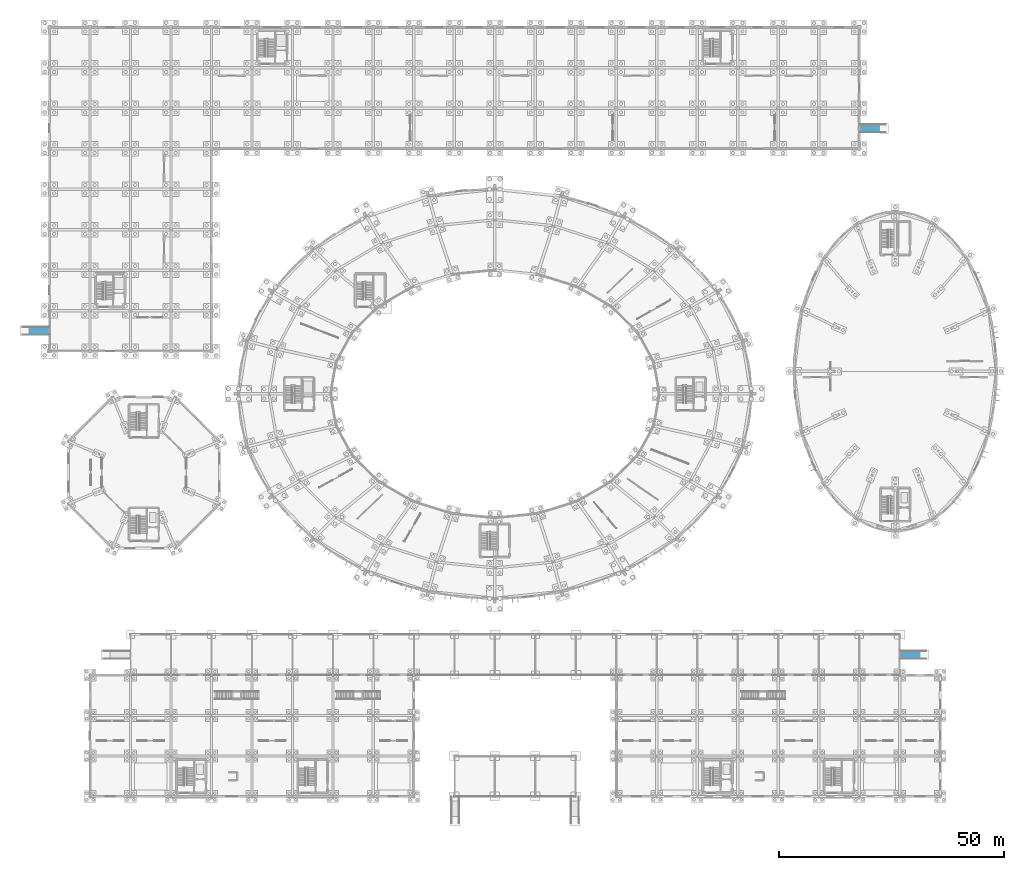
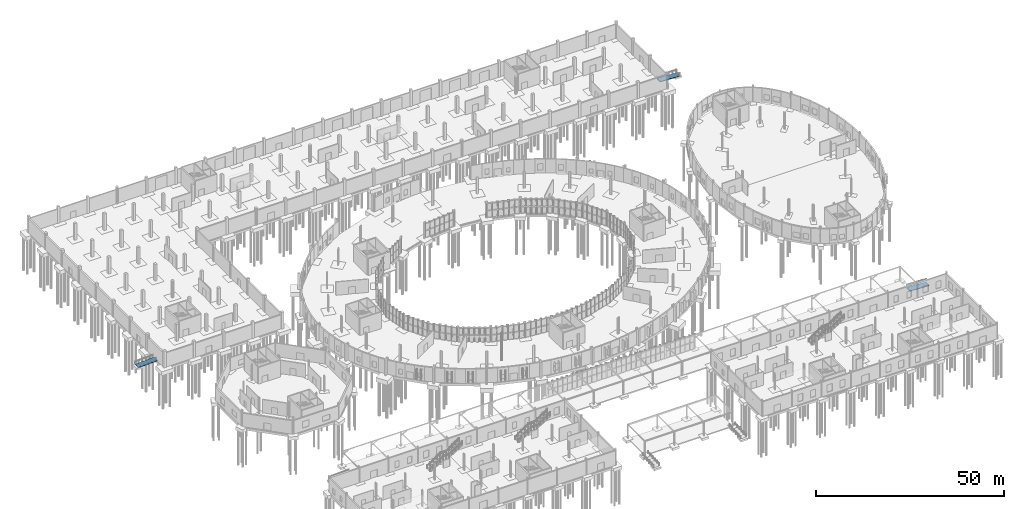
# One storey, part 104 of 118: 3 ramp flights, 3 elements without a shape of their own.
"""IFC4 building model written with IfcOpenShell, lengths in metres."""

from ifc_helpers import new_model, si_unit, direction, frame, origin, place, context, subcontext, project, spatial, polyline, outline, extrude, material, layer, layer_set, type_object, element, aggregate, save


model = new_model("IFC4")

# Units and contexts
model_context = context("Model", 3, precision=1e-05, world=origin(), true_north=direction((0.0, 1.0)))
body_context = subcontext(model_context, "Body", "Model", "MODEL_VIEW")
ifc_project = project(units=[si_unit("LENGTHUNIT", "METRE"), si_unit("AREAUNIT", "SQUARE_METRE"), si_unit("VOLUMEUNIT", "CUBIC_METRE"), si_unit("PLANEANGLEUNIT", "RADIAN"), si_unit("MASSUNIT", "GRAM", prefix="KILO")], contexts=[model_context])

# Site, building, storey
site_placement = place(None, origin())
site = spatial("IfcSite", under=ifc_project, at=site_placement, CompositionType="ELEMENT")
building_placement = place(site_placement, origin())
building = spatial("IfcBuilding", under=site, at=building_placement, Name="Kildeholm Park Wholesale Market", CompositionType="ELEMENT")
storey_placement = place(building_placement, origin())
storey = spatial("IfcBuildingStorey", under=building, at=storey_placement, Name="L00", CompositionType="ELEMENT", Elevation=0.0)

# Ramp, ramp flight
ifc_material = material(Name="Concrete C35/45", Category="concrete")
ramp_type = type_object("IfcRampType", Name="Step-free accessible ramp RM-01 1:20", PredefinedType="STRAIGHT_RUN_RAMP", material=ifc_material)
ramp_1_placement = place(storey_placement, origin())
ramp_1 = element("IfcRamp", 1, at=ramp_1_placement, inside=storey, type_object=ramp_type, Name="Accessible 1:20 ramp RM-V6-E RMP-0004", PredefinedType="STRAIGHT_RUN_RAMP")
ifc_layer = layer(ifc_material, 0.199951171875)
ifc_layer_set = layer_set([ifc_layer], Name="Concrete C35/45")
ramp_flight_type = type_object("IfcRampFlightType", Name="Step-free ramp flight RMF-01 1800 mm", PredefinedType="STRAIGHT", material=ifc_layer_set)
ramp_flight_1_placement = place(storey_placement, frame((194.919921875, 31.5, -0.300048828125), z_axis=(0.0, 0.0, 1.0), x_axis=(-1.0, 0.0, 0.0)))
ramp_flight_1 = element("IfcRampFlight", 2, at=ramp_flight_1_placement, type_object=ramp_flight_type, Name="Accessible ramp flight RM-V6-E RMF-0004", PredefinedType="STRAIGHT", context=body_context, shape_type="SweptSolid", body=[
    extrude(outline(polyline([(0.0, 0.0), (0.0, -0.199951171875), (6.0, 0.10009765625), (6.0, 0.300048828125), (0.0, 0.0)])), frame((0.0, 0.89990234375, 0.0), z_axis=(0.0, -1.0, 0.0), x_axis=(1.0, 0.0, 0.0)), (0.0, 0.0, 1.0), 1.800048828125),
])
aggregate(ramp_1, [ramp_flight_1])

ramp_2_placement = place(storey_placement, origin())
ramp_2 = element("IfcRamp", 3, at=ramp_2_placement, inside=storey, type_object=ramp_type, Name="Accessible 1:20 ramp RM-DK-W RMP-0005", PredefinedType="STRAIGHT_RUN_RAMP")
ramp_flight_2_placement = place(storey_placement, frame((-5.919921875, 103.5, -0.300048828125), z_axis=(0.0, 0.0, 1.0), x_axis=(1.0, 0.0, 0.0)))
ramp_flight_2 = element("IfcRampFlight", 4, at=ramp_flight_2_placement, type_object=ramp_flight_type, Name="Accessible ramp flight RM-DK-W RMF-0005", PredefinedType="STRAIGHT", context=body_context, shape_type="SweptSolid", body=[
    extrude(outline(polyline([(0.0, 0.0), (0.0, -0.199951171875), (6.0, 0.10009765625), (6.0, 0.300048828125), (0.0, 0.0)])), frame((0.0, 0.89990234375, 0.0), z_axis=(0.0, -1.0, 0.0), x_axis=(1.0, 0.0, 0.0)), (0.0, 0.0, 1.0), 1.800048828125),
])
aggregate(ramp_2, [ramp_flight_2])

ramp_3_placement = place(storey_placement, origin())
ramp_3 = element("IfcRamp", 5, at=ramp_3_placement, inside=storey, type_object=ramp_type, Name="Accessible 1:20 ramp RM-DK-E RMP-0006", PredefinedType="STRAIGHT_RUN_RAMP")
ramp_flight_3_placement = place(storey_placement, frame((185.919921875, 148.5, -0.300048828125), z_axis=(0.0, 0.0, 1.0), x_axis=(-1.0, 0.0, 0.0)))
ramp_flight_3 = element("IfcRampFlight", 6, at=ramp_flight_3_placement, type_object=ramp_flight_type, Name="Accessible ramp flight RM-DK-E RMF-0006", PredefinedType="STRAIGHT", context=body_context, shape_type="SweptSolid", body=[
    extrude(outline(polyline([(0.0, 0.0), (0.0, -0.199951171875), (6.0, 0.10009765625), (6.0, 0.300048828125), (0.0, 0.0)])), frame((0.0, 0.89990234375, 0.0), z_axis=(0.0, -1.0, 0.0), x_axis=(1.0, 0.0, 0.0)), (0.0, 0.0, 1.0), 1.800048828125),
])
aggregate(ramp_3, [ramp_flight_3])

save(model, "model.ifc")
